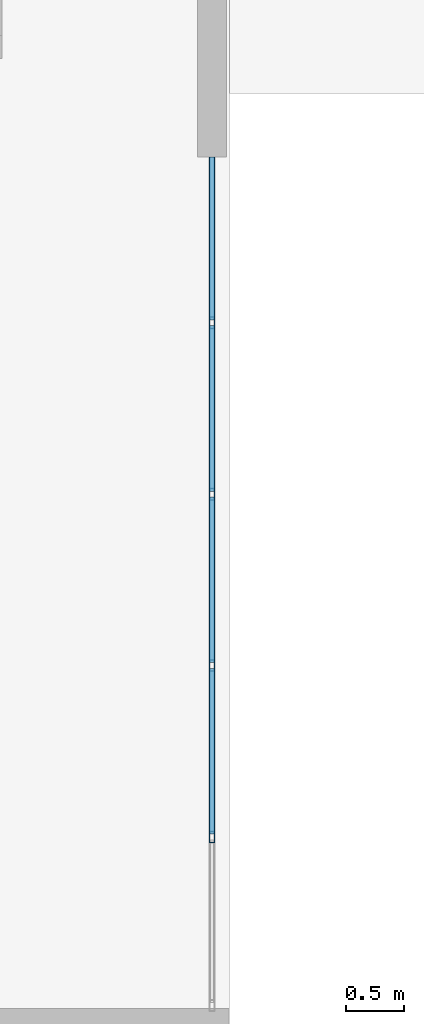
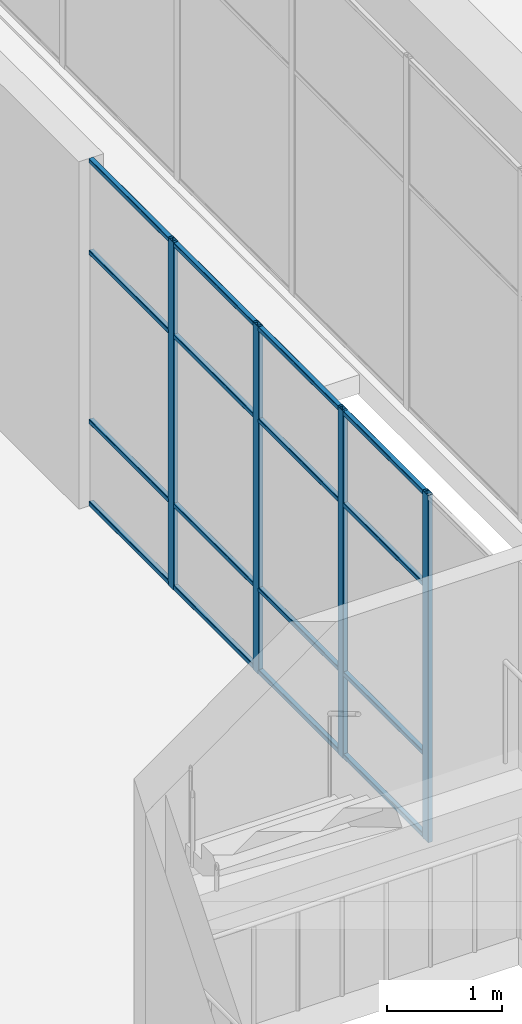
# One storey, part 14 of 66: 20 members, 1 element without a shape of its own.
"""IFC4 building model written with IfcOpenShell, lengths in metres."""

from ifc_helpers import new_model, si_unit, direction, frame, origin, origin_2d, place, context, subcontext, project, spatial, hollow_rectangle, extrude, material, layer, layer_set, material_profile, profile_set, type_object, element, aggregate, save


model = new_model("IFC4")

# Units and contexts
model_context = context("Model", 3, precision=1e-05, world=origin(), true_north=direction((0.0, 1.0)))
body_context = subcontext(model_context, "Body", "Model", "MODEL_VIEW")
ifc_project = project(units=[si_unit("LENGTHUNIT", "METRE"), si_unit("AREAUNIT", "SQUARE_METRE"), si_unit("VOLUMEUNIT", "CUBIC_METRE"), si_unit("PLANEANGLEUNIT", "RADIAN"), si_unit("MASSUNIT", "GRAM", prefix="KILO")], contexts=[model_context])

# Site, building, storey
site_placement = place(None, origin())
site = spatial("IfcSite", under=ifc_project, at=site_placement, CompositionType="ELEMENT")
building_placement = place(site_placement, origin())
building = spatial("IfcBuilding", under=site, at=building_placement, Name="Tuart Plaza Theatre", CompositionType="ELEMENT")
storey_placement = place(building_placement, frame((0.0, 0.0, 5.5)))
storey = spatial("IfcBuildingStorey", under=building, at=storey_placement, Name="L01", CompositionType="ELEMENT", Elevation=5.5)

# Curtain wall, members
ifc_material_1 = material(Name="Aluminium and glass", Category="aluminium")
ifc_layer = layer(ifc_material_1, 0.10009765625)
ifc_layer_set = layer_set([ifc_layer], Name="CURTAIN WALL 1500 module")
curtain_wall_type = type_object("IfcCurtainWallType", Name="CURTAIN WALL 1500 module", PredefinedType="NOTDEFINED", material=ifc_layer_set)
curtain_wall_placement = place(storey_placement, origin())
curtain_wall = element("IfcCurtainWall", 1, at=curtain_wall_placement, inside=storey, type_object=curtain_wall_type, Name="CW22", PredefinedType="NOTDEFINED")
ifc_material_2 = material(Name="Aluminium 6063-T5", Category="aluminium")
ifc_material_profile_1 = material_profile(ifc_material_2, hollow_rectangle(XDim=0.050048828125, YDim=0.10009765625, WallThickness=0.00390625, InnerFilletRadius=0.00390625, OuterFilletRadius=0.008056640625, at=origin_2d()), Name="RHS 100x50x4")
ifc_profile_set_1 = profile_set([ifc_material_profile_1], Name="Aluminium 6063-T5")
member_type_1 = type_object("IfcMemberType", Name="MULLION RHS 100x50x4", PredefinedType="MULLION", material=ifc_profile_set_1)
member_1_placement = place(storey_placement, frame((110.212890625, 53.47998046875, 0.0), z_axis=(0.0, 0.0, 1.0), x_axis=(-1.0, 0.0, 0.0)))
member_1 = element("IfcMember", 2, at=member_1_placement, type_object=member_type_1, Name="CW22 mullion 2", PredefinedType="MULLION", context=body_context, shape_type="SweptSolid", body=[
    extrude(hollow_rectangle(XDim=0.050048828125, YDim=0.10009765625, WallThickness=0.00390625, InnerFilletRadius=0.00390625, OuterFilletRadius=0.008056640625, at=origin_2d()), origin(), (0.0, 0.0, 1.0), 3.699951171875),
])
member_2_placement = place(storey_placement, frame((110.212890625, 54.9599609375, 0.0), z_axis=(0.0, 0.0, 1.0), x_axis=(-1.0, 0.0, 0.0)))
member_2 = element("IfcMember", 3, at=member_2_placement, type_object=member_type_1, Name="CW22 mullion 3", PredefinedType="MULLION", context=body_context, shape_type="SweptSolid", body=[
    extrude(hollow_rectangle(XDim=0.050048828125, YDim=0.10009765625, WallThickness=0.00390625, InnerFilletRadius=0.00390625, OuterFilletRadius=0.008056640625, at=origin_2d()), origin(), (0.0, 0.0, 1.0), 3.699951171875),
])
member_3_placement = place(storey_placement, frame((110.212890625, 56.43994140625, 0.0), z_axis=(0.0, 0.0, 1.0), x_axis=(-1.0, 0.0, 0.0)))
member_3 = element("IfcMember", 4, at=member_3_placement, type_object=member_type_1, Name="CW22 mullion 4", PredefinedType="MULLION", context=body_context, shape_type="SweptSolid", body=[
    extrude(hollow_rectangle(XDim=0.050048828125, YDim=0.10009765625, WallThickness=0.00390625, InnerFilletRadius=0.00390625, OuterFilletRadius=0.008056640625, at=origin_2d()), origin(), (0.0, 0.0, 1.0), 3.699951171875),
])
member_4_placement = place(storey_placement, frame((110.212890625, 57.919921875, 0.0), z_axis=(0.0, 0.0, 1.0), x_axis=(-1.0, 0.0, 0.0)))
member_4 = element("IfcMember", 5, at=member_4_placement, type_object=member_type_1, Name="CW22 mullion 5", PredefinedType="MULLION", context=body_context, shape_type="SweptSolid", body=[
    extrude(hollow_rectangle(XDim=0.050048828125, YDim=0.10009765625, WallThickness=0.00390625, InnerFilletRadius=0.00390625, OuterFilletRadius=0.008056640625, at=origin_2d()), origin(), (0.0, 0.0, 1.0), 3.699951171875),
])
ifc_material_3 = material(Name="Aluminium 6063-T5", Category="aluminium")
ifc_material_profile_2 = material_profile(ifc_material_3, hollow_rectangle(XDim=0.050048828125, YDim=0.050048828125, WallThickness=0.00390625, InnerFilletRadius=0.00390625, OuterFilletRadius=0.008056640625, at=origin_2d()), Name="RHS 50x50x4")
ifc_profile_set_2 = profile_set([ifc_material_profile_2], Name="Aluminium 6063-T5")
member_type_2 = type_object("IfcMemberType", Name="TRANSOM RHS 50x50x4", PredefinedType="USERDEFINED", material=ifc_profile_set_2)
member_5_placement = place(storey_placement, frame((110.212890625, 53.5048828125, 0.02490234375), z_axis=(0.0, 1.0, 0.0), x_axis=(-1.0, 0.0, 0.0)))
member_5 = element("IfcMember", 6, at=member_5_placement, type_object=member_type_2, Name="CW22 transom 2.1", ObjectType="TRANSOM", PredefinedType="USERDEFINED", context=body_context, shape_type="SweptSolid", body=[
    extrude(hollow_rectangle(XDim=0.050048828125, YDim=0.050048828125, WallThickness=0.00390625, InnerFilletRadius=0.00390625, OuterFilletRadius=0.008056640625, at=origin_2d()), origin(), (0.0, 0.0, 1.0), 1.43017578125),
])
member_6_placement = place(storey_placement, frame((110.212890625, 53.5048828125, 0.89990234375), z_axis=(0.0, 1.0, 0.0), x_axis=(-1.0, 0.0, 0.0)))
member_6 = element("IfcMember", 7, at=member_6_placement, type_object=member_type_2, Name="CW22 transom 2.2", ObjectType="TRANSOM", PredefinedType="USERDEFINED", context=body_context, shape_type="SweptSolid", body=[
    extrude(hollow_rectangle(XDim=0.050048828125, YDim=0.050048828125, WallThickness=0.00390625, InnerFilletRadius=0.00390625, OuterFilletRadius=0.008056640625, at=origin_2d()), origin(), (0.0, 0.0, 1.0), 1.43017578125),
])
member_7_placement = place(storey_placement, frame((110.212890625, 53.5048828125, 2.699951171875), z_axis=(0.0, 1.0, 0.0), x_axis=(-1.0, 0.0, 0.0)))
member_7 = element("IfcMember", 8, at=member_7_placement, type_object=member_type_2, Name="CW22 transom 2.3", ObjectType="TRANSOM", PredefinedType="USERDEFINED", context=body_context, shape_type="SweptSolid", body=[
    extrude(hollow_rectangle(XDim=0.050048828125, YDim=0.050048828125, WallThickness=0.00390625, InnerFilletRadius=0.00390625, OuterFilletRadius=0.008056640625, at=origin_2d()), origin(), (0.0, 0.0, 1.0), 1.43017578125),
])
member_8_placement = place(storey_placement, frame((110.212890625, 53.5048828125, 3.675048828125), z_axis=(0.0, 1.0, 0.0), x_axis=(-1.0, 0.0, 0.0)))
member_8 = element("IfcMember", 9, at=member_8_placement, type_object=member_type_2, Name="CW22 transom 2.4", ObjectType="TRANSOM", PredefinedType="USERDEFINED", context=body_context, shape_type="SweptSolid", body=[
    extrude(hollow_rectangle(XDim=0.050048828125, YDim=0.050048828125, WallThickness=0.00390625, InnerFilletRadius=0.00390625, OuterFilletRadius=0.008056640625, at=origin_2d()), origin(), (0.0, 0.0, 1.0), 1.43017578125),
])
member_9_placement = place(storey_placement, frame((110.212890625, 54.985107421875, 0.02490234375), z_axis=(0.0, 1.0, 0.0), x_axis=(-1.0, 0.0, 0.0)))
member_9 = element("IfcMember", 10, at=member_9_placement, type_object=member_type_2, Name="CW22 transom 3.1", ObjectType="TRANSOM", PredefinedType="USERDEFINED", context=body_context, shape_type="SweptSolid", body=[
    extrude(hollow_rectangle(XDim=0.050048828125, YDim=0.050048828125, WallThickness=0.00390625, InnerFilletRadius=0.00390625, OuterFilletRadius=0.008056640625, at=origin_2d()), origin(), (0.0, 0.0, 1.0), 1.429931640625),
])
member_10_placement = place(storey_placement, frame((110.212890625, 54.985107421875, 0.89990234375), z_axis=(0.0, 1.0, 0.0), x_axis=(-1.0, 0.0, 0.0)))
member_10 = element("IfcMember", 11, at=member_10_placement, type_object=member_type_2, Name="CW22 transom 3.2", ObjectType="TRANSOM", PredefinedType="USERDEFINED", context=body_context, shape_type="SweptSolid", body=[
    extrude(hollow_rectangle(XDim=0.050048828125, YDim=0.050048828125, WallThickness=0.00390625, InnerFilletRadius=0.00390625, OuterFilletRadius=0.008056640625, at=origin_2d()), origin(), (0.0, 0.0, 1.0), 1.429931640625),
])
member_11_placement = place(storey_placement, frame((110.212890625, 54.985107421875, 2.699951171875), z_axis=(0.0, 1.0, 0.0), x_axis=(-1.0, 0.0, 0.0)))
member_11 = element("IfcMember", 12, at=member_11_placement, type_object=member_type_2, Name="CW22 transom 3.3", ObjectType="TRANSOM", PredefinedType="USERDEFINED", context=body_context, shape_type="SweptSolid", body=[
    extrude(hollow_rectangle(XDim=0.050048828125, YDim=0.050048828125, WallThickness=0.00390625, InnerFilletRadius=0.00390625, OuterFilletRadius=0.008056640625, at=origin_2d()), origin(), (0.0, 0.0, 1.0), 1.429931640625),
])
member_12_placement = place(storey_placement, frame((110.212890625, 54.985107421875, 3.675048828125), z_axis=(0.0, 1.0, 0.0), x_axis=(-1.0, 0.0, 0.0)))
member_12 = element("IfcMember", 13, at=member_12_placement, type_object=member_type_2, Name="CW22 transom 3.4", ObjectType="TRANSOM", PredefinedType="USERDEFINED", context=body_context, shape_type="SweptSolid", body=[
    extrude(hollow_rectangle(XDim=0.050048828125, YDim=0.050048828125, WallThickness=0.00390625, InnerFilletRadius=0.00390625, OuterFilletRadius=0.008056640625, at=origin_2d()), origin(), (0.0, 0.0, 1.0), 1.429931640625),
])
member_13_placement = place(storey_placement, frame((110.212890625, 56.465087890625, 0.02490234375), z_axis=(0.0, 1.0, 0.0), x_axis=(-1.0, 0.0, 0.0)))
member_13 = element("IfcMember", 14, at=member_13_placement, type_object=member_type_2, Name="CW22 transom 4.1", ObjectType="TRANSOM", PredefinedType="USERDEFINED", context=body_context, shape_type="SweptSolid", body=[
    extrude(hollow_rectangle(XDim=0.050048828125, YDim=0.050048828125, WallThickness=0.00390625, InnerFilletRadius=0.00390625, OuterFilletRadius=0.008056640625, at=origin_2d()), origin(), (0.0, 0.0, 1.0), 1.429931640625),
])
member_14_placement = place(storey_placement, frame((110.212890625, 56.465087890625, 0.89990234375), z_axis=(0.0, 1.0, 0.0), x_axis=(-1.0, 0.0, 0.0)))
member_14 = element("IfcMember", 15, at=member_14_placement, type_object=member_type_2, Name="CW22 transom 4.2", ObjectType="TRANSOM", PredefinedType="USERDEFINED", context=body_context, shape_type="SweptSolid", body=[
    extrude(hollow_rectangle(XDim=0.050048828125, YDim=0.050048828125, WallThickness=0.00390625, InnerFilletRadius=0.00390625, OuterFilletRadius=0.008056640625, at=origin_2d()), origin(), (0.0, 0.0, 1.0), 1.429931640625),
])
member_15_placement = place(storey_placement, frame((110.212890625, 56.465087890625, 2.699951171875), z_axis=(0.0, 1.0, 0.0), x_axis=(-1.0, 0.0, 0.0)))
member_15 = element("IfcMember", 16, at=member_15_placement, type_object=member_type_2, Name="CW22 transom 4.3", ObjectType="TRANSOM", PredefinedType="USERDEFINED", context=body_context, shape_type="SweptSolid", body=[
    extrude(hollow_rectangle(XDim=0.050048828125, YDim=0.050048828125, WallThickness=0.00390625, InnerFilletRadius=0.00390625, OuterFilletRadius=0.008056640625, at=origin_2d()), origin(), (0.0, 0.0, 1.0), 1.429931640625),
])
member_16_placement = place(storey_placement, frame((110.212890625, 56.465087890625, 3.675048828125), z_axis=(0.0, 1.0, 0.0), x_axis=(-1.0, 0.0, 0.0)))
member_16 = element("IfcMember", 17, at=member_16_placement, type_object=member_type_2, Name="CW22 transom 4.4", ObjectType="TRANSOM", PredefinedType="USERDEFINED", context=body_context, shape_type="SweptSolid", body=[
    extrude(hollow_rectangle(XDim=0.050048828125, YDim=0.050048828125, WallThickness=0.00390625, InnerFilletRadius=0.00390625, OuterFilletRadius=0.008056640625, at=origin_2d()), origin(), (0.0, 0.0, 1.0), 1.429931640625),
])
member_17_placement = place(storey_placement, frame((110.212890625, 57.945068359375, 0.02490234375), z_axis=(0.0, 1.0, 0.0), x_axis=(-1.0, 0.0, 0.0)))
member_17 = element("IfcMember", 18, at=member_17_placement, type_object=member_type_2, Name="CW22 transom 5.1", ObjectType="TRANSOM", PredefinedType="USERDEFINED", context=body_context, shape_type="SweptSolid", body=[
    extrude(hollow_rectangle(XDim=0.050048828125, YDim=0.050048828125, WallThickness=0.00390625, InnerFilletRadius=0.00390625, OuterFilletRadius=0.008056640625, at=origin_2d()), origin(), (0.0, 0.0, 1.0), 1.405029296875),
])
member_18_placement = place(storey_placement, frame((110.212890625, 57.945068359375, 0.89990234375), z_axis=(0.0, 1.0, 0.0), x_axis=(-1.0, 0.0, 0.0)))
member_18 = element("IfcMember", 19, at=member_18_placement, type_object=member_type_2, Name="CW22 transom 5.2", ObjectType="TRANSOM", PredefinedType="USERDEFINED", context=body_context, shape_type="SweptSolid", body=[
    extrude(hollow_rectangle(XDim=0.050048828125, YDim=0.050048828125, WallThickness=0.00390625, InnerFilletRadius=0.00390625, OuterFilletRadius=0.008056640625, at=origin_2d()), origin(), (0.0, 0.0, 1.0), 1.405029296875),
])
member_19_placement = place(storey_placement, frame((110.212890625, 57.945068359375, 2.699951171875), z_axis=(0.0, 1.0, 0.0), x_axis=(-1.0, 0.0, 0.0)))
member_19 = element("IfcMember", 20, at=member_19_placement, type_object=member_type_2, Name="CW22 transom 5.3", ObjectType="TRANSOM", PredefinedType="USERDEFINED", context=body_context, shape_type="SweptSolid", body=[
    extrude(hollow_rectangle(XDim=0.050048828125, YDim=0.050048828125, WallThickness=0.00390625, InnerFilletRadius=0.00390625, OuterFilletRadius=0.008056640625, at=origin_2d()), origin(), (0.0, 0.0, 1.0), 1.405029296875),
])
member_20_placement = place(storey_placement, frame((110.212890625, 57.945068359375, 3.675048828125), z_axis=(0.0, 1.0, 0.0), x_axis=(-1.0, 0.0, 0.0)))
member_20 = element("IfcMember", 21, at=member_20_placement, type_object=member_type_2, Name="CW22 transom 5.4", ObjectType="TRANSOM", PredefinedType="USERDEFINED", context=body_context, shape_type="SweptSolid", body=[
    extrude(hollow_rectangle(XDim=0.050048828125, YDim=0.050048828125, WallThickness=0.00390625, InnerFilletRadius=0.00390625, OuterFilletRadius=0.008056640625, at=origin_2d()), origin(), (0.0, 0.0, 1.0), 1.405029296875),
])
aggregate(curtain_wall, [member_1, member_2, member_3, member_4, member_5, member_6, member_7, member_8, member_9, member_10, member_11, member_12, member_13, member_14, member_15, member_16, member_17, member_18, member_19, member_20])

save(model, "model.ifc")
